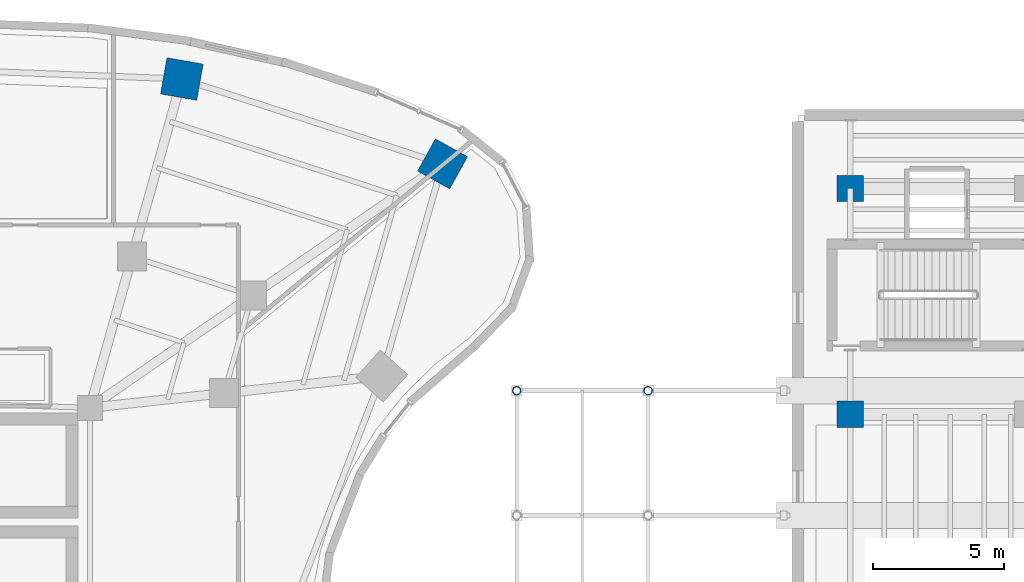
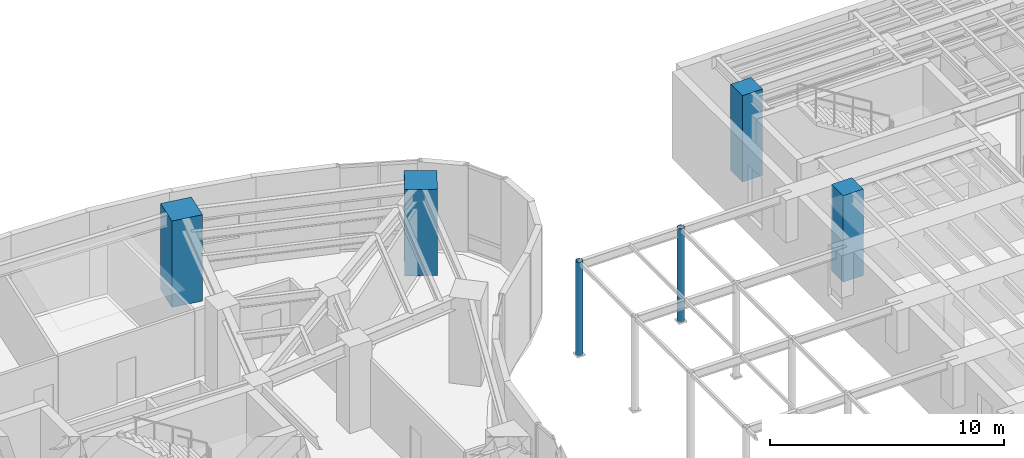
# One storey, part 4 of 24: 6 columns.
"""IFC4 building model written with IfcOpenShell, lengths in metres."""

from ifc_helpers import new_model, si_unit, direction, frame, origin, origin_2d, place, context, subcontext, project, spatial, rectangle, hollow_circle, extrude, material, material_profile, profile_set, type_object, element, save


model = new_model("IFC4")

# Units and contexts
model_context = context("Model", 3, precision=1e-05, world=origin(), true_north=direction((0.0, 1.0)))
body_context = subcontext(model_context, "Body", "Model", "MODEL_VIEW")
ifc_project = project(units=[si_unit("LENGTHUNIT", "METRE"), si_unit("AREAUNIT", "SQUARE_METRE"), si_unit("VOLUMEUNIT", "CUBIC_METRE"), si_unit("PLANEANGLEUNIT", "RADIAN"), si_unit("MASSUNIT", "GRAM", prefix="KILO")], contexts=[model_context])

# Site, building, storey
site_placement = place(None, origin())
site = spatial("IfcSite", under=ifc_project, at=site_placement, CompositionType="ELEMENT")
building_placement = place(site_placement, origin())
building = spatial("IfcBuilding", under=site, at=building_placement, Name="Korentha Bioscience Tower", CompositionType="ELEMENT")
storey_placement = place(building_placement, frame((0.0, 0.0, 5.39990234375)))
storey = spatial("IfcBuildingStorey", under=building, at=storey_placement, Name="L01", CompositionType="ELEMENT", Elevation=5.39990234375)

# Columns
ifc_material_1 = material(Name="Steel S355", Category="steel")
ifc_material_profile_1 = material_profile(ifc_material_1, hollow_circle(Radius=0.161865234375, WallThickness=0.01611328125, at=origin_2d()), Name="Steel S355")
ifc_profile_set_1 = profile_set([ifc_material_profile_1], Name="Steel S355 (AC-01)")
column_type_1 = type_object("IfcColumnType", Name="Arcade Portal Column CHS 323.9x16", PredefinedType="COLUMN", material=ifc_profile_set_1)
for number, where, z_axis, x_axis, name in (
    (1, (58.800048828125, 36.5, -0.31982421875), (0.0, 0.0, 1.0), (1.0, 0.0, 0.0), "L01 Covered Arcade Column AC-05"),
    (2, (53.800048828125, 36.5, -0.31982421875), (0.0, 0.0, 1.0), (1.0, 0.0, 0.0), "L01 Arcade West Column ACW-05"),
):
    element("IfcColumn", number, at=place(storey_placement, frame(where, z_axis=z_axis, x_axis=x_axis)), inside=storey, type_object=column_type_1, Name=name, PredefinedType="COLUMN", context=body_context, shape_type="SweptSolid", body=[
        extrude(hollow_circle(Radius=0.161865234375, WallThickness=0.01611328125, at=origin_2d()), origin(), (0.0, 0.0, 1.0), 4.88037109375),
    ])
ifc_material_2 = material(Name="Concrete C80", Category="concrete")
ifc_material_profile_2 = material_profile(ifc_material_2, rectangle(XDim=1.39990234375, YDim=1.39990234375, at=origin_2d()), Name="Concrete C80")
ifc_profile_set_2 = profile_set([ifc_material_profile_2], Name="Concrete C80 (COL-P14)")
column_type_2 = type_object("IfcColumnType", Name="Perimeter Column RC 1400x1400", PredefinedType="COLUMN", material=ifc_profile_set_2)
for number, where, z_axis, x_axis, name in (
    (3, (50.977294921875, 45.135498046875, -0.00048828125), (0.0, 0.0, 1.0), (-0.874535078577, 0.484962262797, 0.0), "L01 Perimeter Column 01"),
    (4, (41.052490234375, 48.36669921875, -0.00048828125), (0.0, 0.0, 1.0), (-0.984868307662, 0.173304404339, 0.0), "L01 Perimeter Column 02"),
):
    element("IfcColumn", number, at=place(storey_placement, frame(where, z_axis=z_axis, x_axis=x_axis)), inside=storey, type_object=column_type_2, Name=name, PredefinedType="COLUMN", context=body_context, shape_type="SweptSolid", body=[
        extrude(rectangle(XDim=1.39990234375, YDim=1.39990234375, at=origin_2d()), origin(), (0.0, 0.0, 1.0), 4.5009765625),
    ])
ifc_material_3 = material(Name="Concrete C50", Category="concrete")
ifc_material_profile_3 = material_profile(ifc_material_3, rectangle(XDim=1.0, YDim=1.0, at=origin_2d()), Name="Concrete C50")
ifc_profile_set_3 = profile_set([ifc_material_profile_3], Name="Concrete C50 (TC-01)")
column_type_3 = type_object("IfcColumnType", Name="Theatre Primary Column RC 1000x1000", PredefinedType="COLUMN", material=ifc_profile_set_3)
for number, where, z_axis, x_axis, name in (
    (5, (66.5, 35.60009765625, 0.0), (0.0, 0.0, 1.0), (1.0, 0.0, 0.0), "L01 Theatre Column 1-4"),
    (6, (66.5, 44.199951171875, 0.0), (0.0, 0.0, 1.0), (1.0, 0.0, 0.0), "L01 Theatre Column 1-5"),
):
    element("IfcColumn", number, at=place(storey_placement, frame(where, z_axis=z_axis, x_axis=x_axis)), inside=storey, type_object=column_type_3, Name=name, PredefinedType="COLUMN", context=body_context, shape_type="SweptSolid", body=[
        extrude(rectangle(XDim=1.0, YDim=1.0, at=origin_2d()), origin(), (0.0, 0.0, 1.0), 4.5),
    ])

save(model, "model.ifc")
